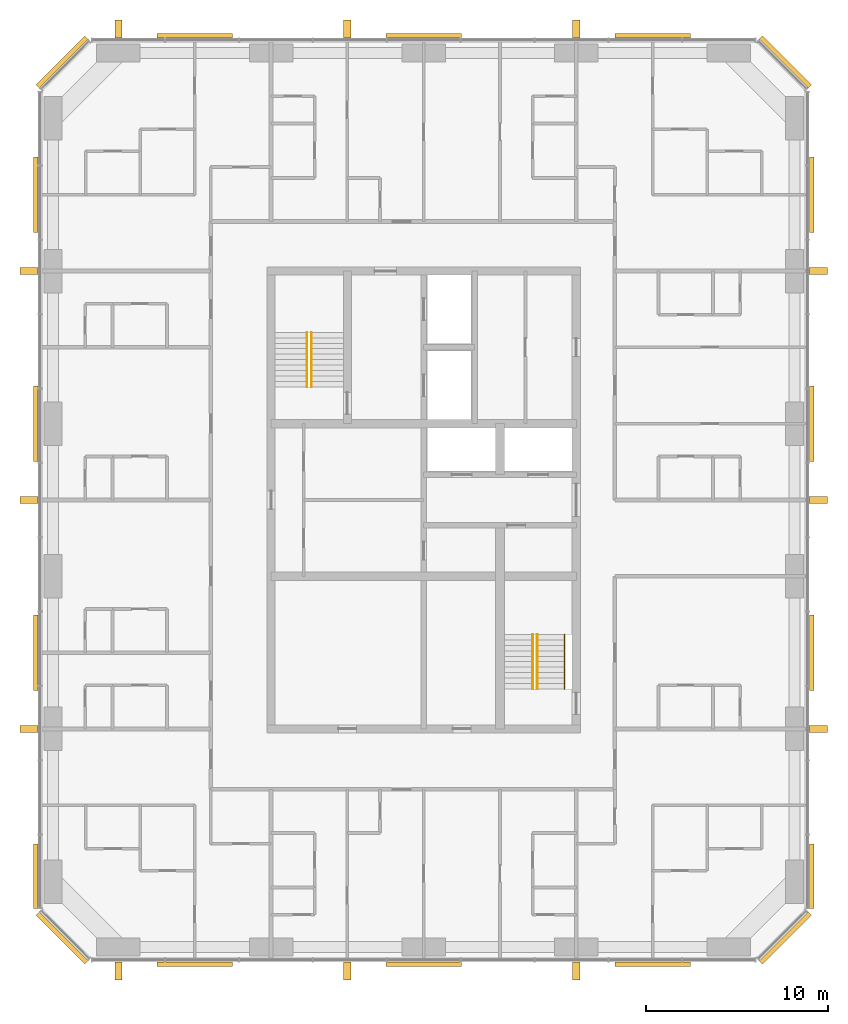
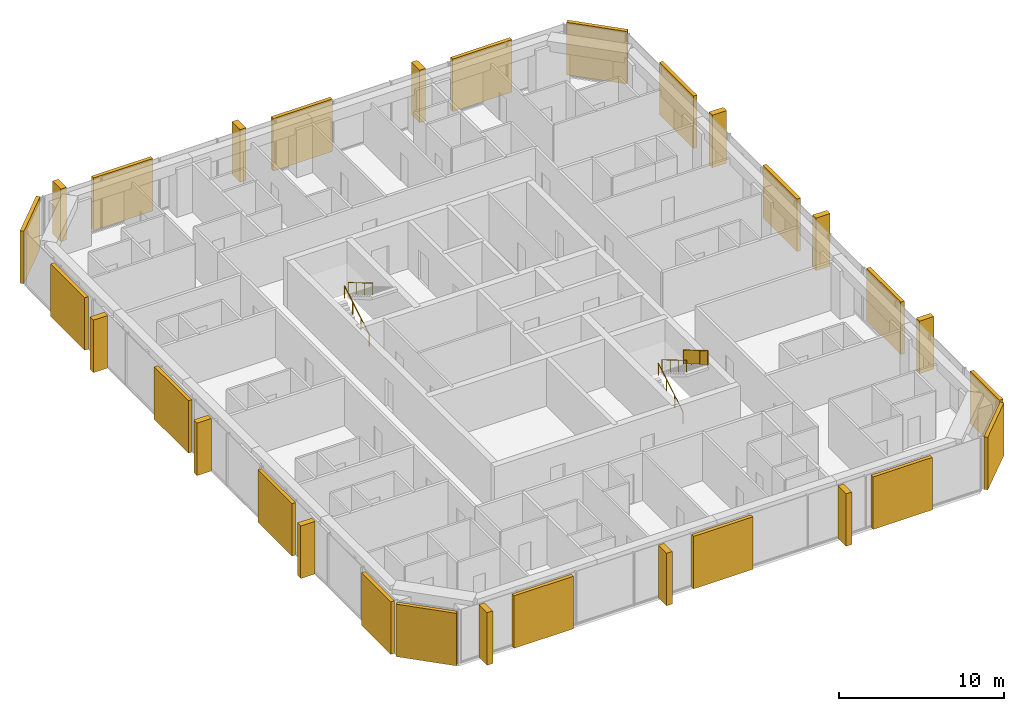
# One storey, part 13 of 13: 18 coverings, 12 shading devices, 5 railings.
"""IFC4 building model written with IfcOpenShell, lengths in metres."""

from ifc_helpers import new_model, si_unit, direction, frame, origin, origin_2d, place, context, subcontext, project, spatial, polyline, rectangle, circle, outline, extrude, material, layer, layer_set, type_object, element, save


model = new_model("IFC4")

# Units and contexts
model_context = context("Model", 3, precision=1e-05, world=origin(), true_north=direction((0.0, 1.0)))
body_context = subcontext(model_context, "Body", "Model", "MODEL_VIEW")
ifc_project = project(units=[si_unit("LENGTHUNIT", "METRE"), si_unit("AREAUNIT", "SQUARE_METRE"), si_unit("VOLUMEUNIT", "CUBIC_METRE"), si_unit("PLANEANGLEUNIT", "RADIAN"), si_unit("MASSUNIT", "GRAM", prefix="KILO")], contexts=[model_context])

# Site, building, storey
site_placement = place(None, origin())
site = spatial("IfcSite", under=ifc_project, at=site_placement, CompositionType="ELEMENT")
building_placement = place(site_placement, origin())
building = spatial("IfcBuilding", under=site, at=building_placement, Name="Dunama Terrace Hotel", CompositionType="ELEMENT")
storey_placement = place(building_placement, frame((0.0, 0.0, 280.199951171875)))
storey = spatial("IfcBuildingStorey", under=building, at=storey_placement, Name="L72", CompositionType="ELEMENT", Elevation=280.199951171875)

# Railings
ifc_material_1 = material(Name="Stainless steel and laminated glass guard", Category="steel")
railing_type_1 = type_object("IfcRailingType", Name="Guard 1100", PredefinedType="GUARDRAIL", material=ifc_material_1)
railing_1_placement = place(storey_placement, frame((41.35009765625, 22.0, 2.12744140625)))
element("IfcRailing", 1, at=railing_1_placement, inside=storey, type_object=railing_type_1, Name="Stair guard ST2 L72", PredefinedType="GUARDRAIL", context=body_context, shape_type="SweptSolid", body=[
    extrude(circle(Radius=0.02392578125, at=origin_2d()), frame((0.0, 0.0, 1.076171875), z_axis=(0.0, -0.86092931783, 0.508724591208), x_axis=(1.0, 0.0, 0.0)), (0.0, 0.0, 1.0), 3.484619140625),
    extrude(circle(Radius=0.02099609375, at=origin_2d()), origin(), (0.0, 0.0, 1.0), 1.052001953125),
    extrude(circle(Radius=0.02099609375, at=origin_2d()), frame((0.0, -1.0, 0.5908203125)), (0.0, 0.0, 1.0), 1.052001953125),
    extrude(circle(Radius=0.02099609375, at=origin_2d()), frame((0.0, -2.0, 1.181884765625)), (0.0, 0.0, 1.0), 1.052001953125),
    extrude(circle(Radius=0.02099609375, at=origin_2d()), frame((0.0, -3.0, 1.772705078125)), (0.0, 0.0, 1.0), 1.052001953125),
    extrude(outline(polyline([(0.0048828125, 0.052978515625), (0.9951171875, 0.63818359375), (0.9951171875, 1.6640625), (0.0048828125, 1.078857421875), (0.0048828125, 0.052978515625)])), frame((0.0087890625, 0.0, 0.0), z_axis=(-1.0, 0.0, 0.0), x_axis=(0.0, -1.0, 0.0)), (0.0, 0.0, 1.0), 0.017578125),
    extrude(outline(polyline([(0.0048828125, 0.052978515625), (0.9951171875, 0.63818359375), (0.9951171875, 1.6640625), (0.0048828125, 1.078857421875), (0.0048828125, 0.052978515625)])), frame((0.0087890625, -1.0, 0.5908203125), z_axis=(-1.0, 0.0, 0.0), x_axis=(0.0, -1.0, 0.0)), (0.0, 0.0, 1.0), 0.017578125),
    extrude(outline(polyline([(0.0048828125, 0.052978515625), (0.9951171875, 0.63818359375), (0.9951171875, 1.6640625), (0.0048828125, 1.078857421875), (0.0048828125, 0.052978515625)])), frame((0.0087890625, -2.0, 1.181884765625), z_axis=(-1.0, 0.0, 0.0), x_axis=(0.0, -1.0, 0.0)), (0.0, 0.0, 1.0), 0.017578125),
])
ifc_material_2 = material(Name="Stainless steel handrail", Category="steel")
railing_type_2 = type_object("IfcRailingType", Name="Stair handrail 900", PredefinedType="HANDRAIL", material=ifc_material_2)
railing_2_placement = place(storey_placement, frame((27.175048828125, 35.625, 0.17724609375)))
element("IfcRailing", 2, at=railing_2_placement, inside=storey, type_object=railing_type_2, Name="Handrail ST1 L72", PredefinedType="HANDRAIL", context=body_context, shape_type="SweptSolid", body=[
    extrude(circle(Radius=0.02392578125, at=origin_2d()), frame((0.0, 0.0, 0.8759765625), z_axis=(0.0, 0.86092931783, 0.508724591208), x_axis=(-1.0, 0.0, 0.0)), (0.0, 0.0, 1.0), 3.484619140625),
    extrude(circle(Radius=0.02099609375, at=origin_2d()), origin(), (0.0, 0.0, 1.0), 0.851806640625),
    extrude(circle(Radius=0.02099609375, at=origin_2d()), frame((0.0, 1.0, 0.5908203125)), (0.0, 0.0, 1.0), 0.851806640625),
    extrude(circle(Radius=0.02099609375, at=origin_2d()), frame((0.0, 2.0, 1.181884765625)), (0.0, 0.0, 1.0), 0.851806640625),
    extrude(circle(Radius=0.02099609375, at=origin_2d()), frame((0.0, 3.0, 1.772705078125)), (0.0, 0.0, 1.0), 0.851806640625),
])
railing_3_placement = place(storey_placement, frame((27.425048828125, 38.625, 2.12744140625)))
element("IfcRailing", 3, at=railing_3_placement, inside=storey, type_object=railing_type_2, Name="Handrail ST1 L72", PredefinedType="HANDRAIL", context=body_context, shape_type="SweptSolid", body=[
    extrude(circle(Radius=0.02392578125, at=origin_2d()), frame((0.0, 0.0, 0.8759765625), z_axis=(0.0, -0.86092931783, 0.508724591208), x_axis=(1.0, 0.0, 0.0)), (0.0, 0.0, 1.0), 3.484619140625),
    extrude(circle(Radius=0.02099609375, at=origin_2d()), origin(), (0.0, 0.0, 1.0), 0.851806640625),
    extrude(circle(Radius=0.02099609375, at=origin_2d()), frame((0.0, -1.0, 0.5908203125)), (0.0, 0.0, 1.0), 0.851806640625),
    extrude(circle(Radius=0.02099609375, at=origin_2d()), frame((0.0, -2.0, 1.181884765625)), (0.0, 0.0, 1.0), 0.851806640625),
    extrude(circle(Radius=0.02099609375, at=origin_2d()), frame((0.0, -3.0, 1.772705078125)), (0.0, 0.0, 1.0), 0.851806640625),
])
railing_4_placement = place(storey_placement, frame((39.60009765625, 19.0, 0.17724609375)))
element("IfcRailing", 4, at=railing_4_placement, inside=storey, type_object=railing_type_2, Name="Handrail ST2 L72", PredefinedType="HANDRAIL", context=body_context, shape_type="SweptSolid", body=[
    extrude(circle(Radius=0.02392578125, at=origin_2d()), frame((0.0, 0.0, 0.8759765625), z_axis=(0.0, 0.86092931783, 0.508724591208), x_axis=(-1.0, 0.0, 0.0)), (0.0, 0.0, 1.0), 3.484619140625),
    extrude(circle(Radius=0.02099609375, at=origin_2d()), origin(), (0.0, 0.0, 1.0), 0.851806640625),
    extrude(circle(Radius=0.02099609375, at=origin_2d()), frame((0.0, 1.0, 0.5908203125)), (0.0, 0.0, 1.0), 0.851806640625),
    extrude(circle(Radius=0.02099609375, at=origin_2d()), frame((0.0, 2.0, 1.181884765625)), (0.0, 0.0, 1.0), 0.851806640625),
    extrude(circle(Radius=0.02099609375, at=origin_2d()), frame((0.0, 3.0, 1.772705078125)), (0.0, 0.0, 1.0), 0.851806640625),
])
railing_5_placement = place(storey_placement, frame((39.85009765625, 22.0, 2.12744140625)))
element("IfcRailing", 5, at=railing_5_placement, inside=storey, type_object=railing_type_2, Name="Handrail ST2 L72", PredefinedType="HANDRAIL", context=body_context, shape_type="SweptSolid", body=[
    extrude(circle(Radius=0.02392578125, at=origin_2d()), frame((0.0, 0.0, 0.8759765625), z_axis=(0.0, -0.86092931783, 0.508724591208), x_axis=(1.0, 0.0, 0.0)), (0.0, 0.0, 1.0), 3.484619140625),
    extrude(circle(Radius=0.02099609375, at=origin_2d()), origin(), (0.0, 0.0, 1.0), 0.851806640625),
    extrude(circle(Radius=0.02099609375, at=origin_2d()), frame((0.0, -1.0, 0.5908203125)), (0.0, 0.0, 1.0), 0.851806640625),
    extrude(circle(Radius=0.02099609375, at=origin_2d()), frame((0.0, -2.0, 1.181884765625)), (0.0, 0.0, 1.0), 0.851806640625),
    extrude(circle(Radius=0.02099609375, at=origin_2d()), frame((0.0, -3.0, 1.772705078125)), (0.0, 0.0, 1.0), 0.851806640625),
])

# Coverings
ifc_material_3 = material(Name="Warm reconstituted stone panel", Category="masonry")
ifc_layer_1 = layer(ifc_material_3, 0.25)
ifc_layer_set_1 = layer_set([ifc_layer_1], Name="Stone diagonal panel")
covering_type = type_object("IfcCoveringType", Name="Stone diagonal panel", PredefinedType="CLADDING", material=ifc_layer_set_1)
for number, where, z_axis, x_axis, name in (
    (6, (21.0, 3.8369140625, 0.001953125), (0.0, 0.0, 1.0), (1.0, 0.0, 0.0), "Stone diagonal panel L72"),
    (7, (33.60009765625, 3.8369140625, 0.001953125), (0.0, 0.0, 1.0), (1.0, 0.0, 0.0), "Stone diagonal panel L72"),
    (8, (46.199951171875, 3.8369140625, 0.001953125), (0.0, 0.0, 1.0), (1.0, 0.0, 0.0), "Stone diagonal panel L72"),
):
    element("IfcCovering", number, at=place(storey_placement, frame(where, z_axis=z_axis, x_axis=x_axis)), inside=storey, type_object=covering_type, Name=name, PredefinedType="CLADDING", context=body_context, shape_type="SweptSolid", body=[
        extrude(rectangle(XDim=4.14990234375, YDim=0.25, at=origin_2d()), origin(), (0.0, 0.0, 1.0), 3.89599609375),
    ])
covering_1_placement = place(storey_placement, frame((53.507080078125, 5.29296875, 0.001953125), z_axis=(0.0, 0.0, 1.0), x_axis=(0.707106781187, 0.707106781187, 0.0)))
element("IfcCovering", 9, at=covering_1_placement, inside=storey, type_object=covering_type, Name="Stone diagonal panel L72", PredefinedType="CLADDING", context=body_context, shape_type="SweptSolid", body=[
    extrude(rectangle(XDim=3.808349609375, YDim=0.25, at=origin_2d()), origin(), (0.0, 0.0, 1.0), 3.89599609375),
])
covering_2_placement = place(storey_placement, frame((54.962890625, 8.68994140625, 0.001953125), z_axis=(0.0, 0.0, 1.0), x_axis=(0.0, 1.0, 0.0)))
element("IfcCovering", 10, at=covering_2_placement, inside=storey, type_object=covering_type, Name="Stone diagonal panel L72", PredefinedType="CLADDING", context=body_context, shape_type="SweptSolid", body=[
    extrude(rectangle(XDim=3.570068359375, YDim=0.25, at=origin_2d()), origin(), (0.0, 0.0, 1.0), 3.89599609375),
])
for number, where, z_axis, x_axis, name in (
    (11, (54.962890625, 21.0, 0.001953125), (0.0, 0.0, 1.0), (0.0, 1.0, 0.0), "Stone diagonal panel L72"),
    (12, (54.962890625, 33.60009765625, 0.001953125), (0.0, 0.0, 1.0), (0.0, 1.0, 0.0), "Stone diagonal panel L72"),
    (13, (54.962890625, 46.199951171875, 0.001953125), (0.0, 0.0, 1.0), (0.0, 1.0, 0.0), "Stone diagonal panel L72"),
):
    element("IfcCovering", number, at=place(storey_placement, frame(where, z_axis=z_axis, x_axis=x_axis)), inside=storey, type_object=covering_type, Name=name, PredefinedType="CLADDING", context=body_context, shape_type="SweptSolid", body=[
        extrude(rectangle(XDim=4.14990234375, YDim=0.25, at=origin_2d()), origin(), (0.0, 0.0, 1.0), 3.89599609375),
    ])
covering_3_placement = place(storey_placement, frame((53.507080078125, 53.507080078125, 0.001953125), z_axis=(0.0, 0.0, 1.0), x_axis=(-0.707106781187, 0.707106781187, 0.0)))
element("IfcCovering", 14, at=covering_3_placement, inside=storey, type_object=covering_type, Name="Stone diagonal panel L72", PredefinedType="CLADDING", context=body_context, shape_type="SweptSolid", body=[
    extrude(rectangle(XDim=3.808349609375, YDim=0.25, at=origin_2d()), origin(), (0.0, 0.0, 1.0), 3.89599609375),
])
for number, where, z_axis, x_axis, name in (
    (15, (46.199951171875, 54.962890625, 0.001953125), (0.0, 0.0, 1.0), (-1.0, 0.0, 0.0), "Stone diagonal panel L72"),
    (16, (33.60009765625, 54.962890625, 0.001953125), (0.0, 0.0, 1.0), (-1.0, 0.0, 0.0), "Stone diagonal panel L72"),
    (17, (21.0, 54.962890625, 0.001953125), (0.0, 0.0, 1.0), (-1.0, 0.0, 0.0), "Stone diagonal panel L72"),
):
    element("IfcCovering", number, at=place(storey_placement, frame(where, z_axis=z_axis, x_axis=x_axis)), inside=storey, type_object=covering_type, Name=name, PredefinedType="CLADDING", context=body_context, shape_type="SweptSolid", body=[
        extrude(rectangle(XDim=4.14990234375, YDim=0.25, at=origin_2d()), origin(), (0.0, 0.0, 1.0), 3.89599609375),
    ])
covering_4_placement = place(storey_placement, frame((13.693115234375, 53.507080078125, 0.001953125), z_axis=(0.0, 0.0, 1.0), x_axis=(-0.707106781187, -0.707106781187, 0.0)))
element("IfcCovering", 18, at=covering_4_placement, inside=storey, type_object=covering_type, Name="Stone diagonal panel L72", PredefinedType="CLADDING", context=body_context, shape_type="SweptSolid", body=[
    extrude(rectangle(XDim=3.808349609375, YDim=0.25, at=origin_2d()), origin(), (0.0, 0.0, 1.0), 3.89599609375),
])
for number, where, z_axis, x_axis, name in (
    (19, (12.237060546875, 46.199951171875, 0.001953125), (0.0, 0.0, 1.0), (0.0, -1.0, 0.0), "Stone diagonal panel L72"),
    (20, (12.237060546875, 33.60009765625, 0.001953125), (0.0, 0.0, 1.0), (0.0, -1.0, 0.0), "Stone diagonal panel L72"),
    (21, (12.237060546875, 21.0, 0.001953125), (0.0, 0.0, 1.0), (0.0, -1.0, 0.0), "Stone diagonal panel L72"),
):
    element("IfcCovering", number, at=place(storey_placement, frame(where, z_axis=z_axis, x_axis=x_axis)), inside=storey, type_object=covering_type, Name=name, PredefinedType="CLADDING", context=body_context, shape_type="SweptSolid", body=[
        extrude(rectangle(XDim=4.14990234375, YDim=0.25, at=origin_2d()), origin(), (0.0, 0.0, 1.0), 3.89599609375),
    ])
covering_5_placement = place(storey_placement, frame((12.237060546875, 8.68994140625, 0.001953125), z_axis=(0.0, 0.0, 1.0), x_axis=(0.0, -1.0, 0.0)))
element("IfcCovering", 22, at=covering_5_placement, inside=storey, type_object=covering_type, Name="Stone diagonal panel L72", PredefinedType="CLADDING", context=body_context, shape_type="SweptSolid", body=[
    extrude(rectangle(XDim=3.570068359375, YDim=0.25, at=origin_2d()), origin(), (0.0, 0.0, 1.0), 3.89599609375),
])
covering_6_placement = place(storey_placement, frame((13.693115234375, 5.29296875, 0.001953125), z_axis=(0.0, 0.0, 1.0), x_axis=(0.707106781187, -0.707106781187, 0.0)))
element("IfcCovering", 23, at=covering_6_placement, inside=storey, type_object=covering_type, Name="Stone diagonal panel L72", PredefinedType="CLADDING", context=body_context, shape_type="SweptSolid", body=[
    extrude(rectangle(XDim=3.808349609375, YDim=0.25, at=origin_2d()), origin(), (0.0, 0.0, 1.0), 3.89599609375),
])

# Shading devices
ifc_material_4 = material(Name="Warm reconstituted stone fin", Category="masonry")
ifc_layer_2 = layer(ifc_material_4, 0.39990234375)
ifc_layer_set_2 = layer_set([ifc_layer_2], Name="Warm stone fin 400x1000")
shading_device_type = type_object("IfcShadingDeviceType", Name="Warm stone fin 400x1000", PredefinedType="USERDEFINED", material=ifc_layer_set_2)
for number, where, z_axis, x_axis, name in (
    (24, (16.800048828125, 3.48193359375, 0.0), (0.0, 0.0, 1.0), (1.0, 0.0, 0.0), "Stone fin"),
    (25, (29.39990234375, 3.48193359375, 0.0), (0.0, 0.0, 1.0), (1.0, 0.0, 0.0), "Stone fin"),
    (26, (42.0, 3.48193359375, 0.0), (0.0, 0.0, 1.0), (1.0, 0.0, 0.0), "Stone fin"),
    (27, (55.318115234375, 16.800048828125, 0.0), (0.0, 0.0, 1.0), (0.0, 1.0, 0.0), "Stone fin"),
    (28, (55.318115234375, 29.39990234375, 0.0), (0.0, 0.0, 1.0), (0.0, 1.0, 0.0), "Stone fin"),
    (29, (55.318115234375, 42.0, 0.0), (0.0, 0.0, 1.0), (0.0, 1.0, 0.0), "Stone fin"),
    (30, (42.0, 55.318115234375, 0.0), (0.0, 0.0, 1.0), (-1.0, 0.0, 0.0), "Stone fin"),
    (31, (29.39990234375, 55.318115234375, 0.0), (0.0, 0.0, 1.0), (-1.0, 0.0, 0.0), "Stone fin"),
    (32, (16.800048828125, 55.318115234375, 0.0), (0.0, 0.0, 1.0), (-1.0, 0.0, 0.0), "Stone fin"),
    (33, (11.882080078125, 42.0, 0.0), (0.0, 0.0, 1.0), (0.0, -1.0, 0.0), "Stone fin"),
    (34, (11.882080078125, 29.39990234375, 0.0), (0.0, 0.0, 1.0), (0.0, -1.0, 0.0), "Stone fin"),
    (35, (11.882080078125, 16.800048828125, 0.0), (0.0, 0.0, 1.0), (0.0, -1.0, 0.0), "Stone fin"),
):
    element("IfcShadingDevice", number, at=place(storey_placement, frame(where, z_axis=z_axis, x_axis=x_axis)), inside=storey, type_object=shading_device_type, Name=name, ObjectType="FIN", PredefinedType="USERDEFINED", context=body_context, shape_type="SweptSolid", body=[
        extrude(rectangle(XDim=0.39990234375, YDim=1.0, at=origin_2d()), origin(), (0.0, 0.0, 1.0), 3.89990234375),
    ])

save(model, "model.ifc")
